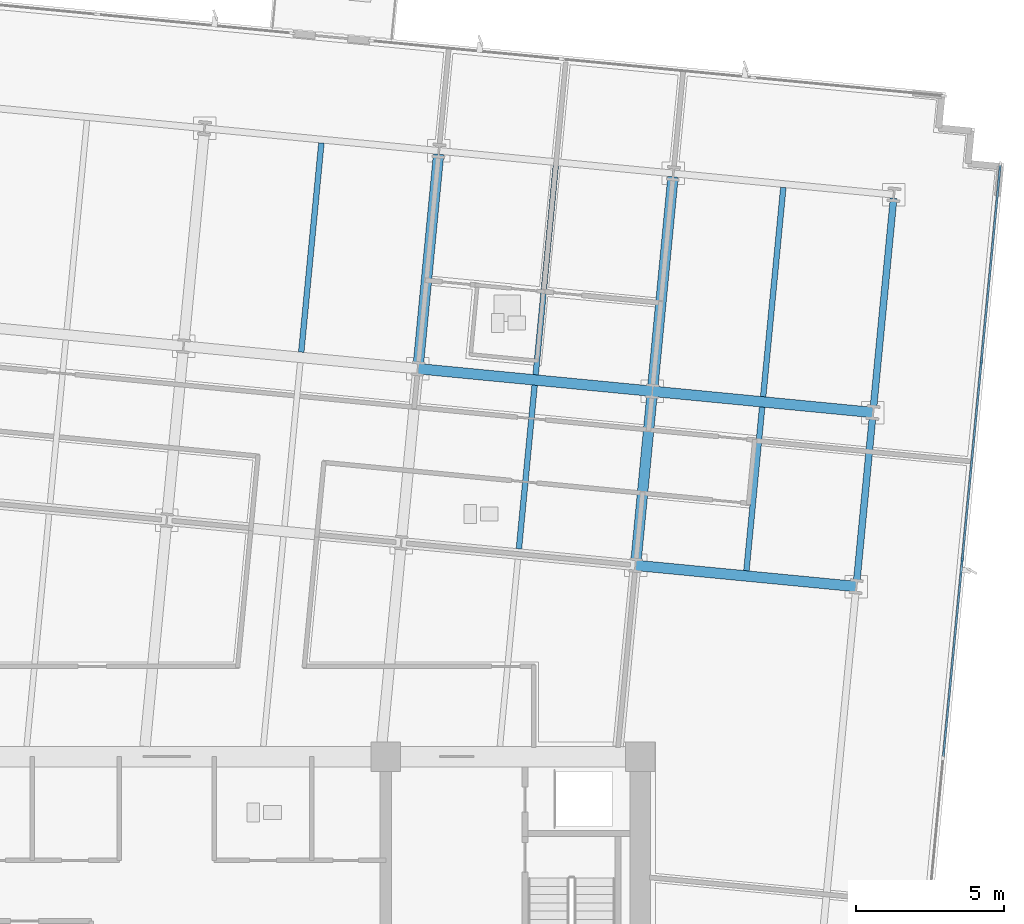
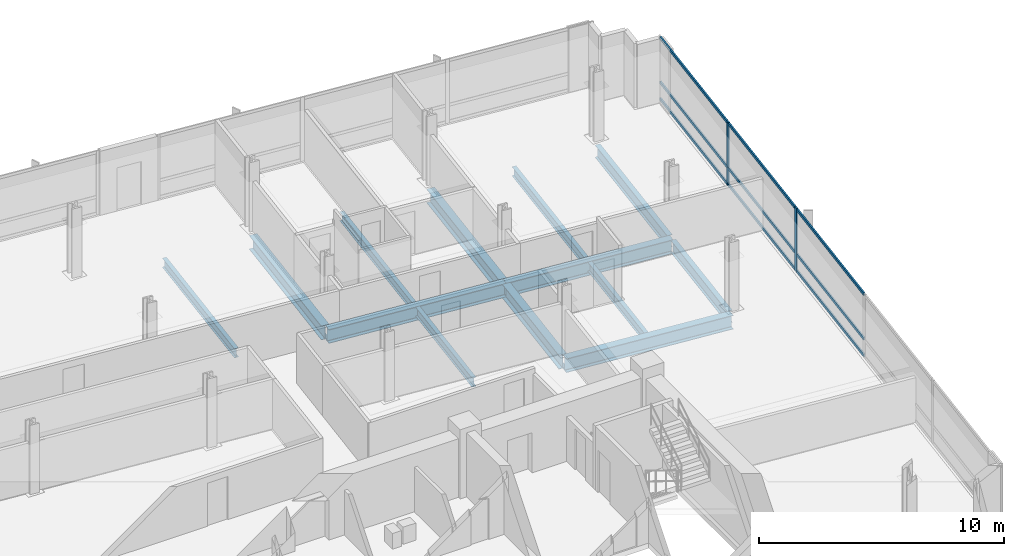
# One storey, part 6 of 17: 13 beams, 11 members, 1 element without a shape of its own.
"""IFC4 building model written with IfcOpenShell, lengths in metres."""

from ifc_helpers import new_model, si_unit, direction, frame, origin, origin_2d, place, context, subcontext, project, spatial, rectangle, i_section, extrude, material, material_profile, profile_set, type_object, element, aggregate, save


model = new_model("IFC4")

# Units and contexts
model_context = context("Model", 3, precision=1e-05, world=origin(), true_north=direction((0.0, 1.0)))
body_context = subcontext(model_context, "Body", "Model", "MODEL_VIEW")
ifc_project = project(units=[si_unit("LENGTHUNIT", "METRE"), si_unit("AREAUNIT", "SQUARE_METRE"), si_unit("VOLUMEUNIT", "CUBIC_METRE"), si_unit("PLANEANGLEUNIT", "RADIAN"), si_unit("MASSUNIT", "GRAM", prefix="KILO")], contexts=[model_context])

# Site, building, storey
site_placement = place(None, origin())
site = spatial("IfcSite", under=ifc_project, at=site_placement, CompositionType="ELEMENT")
building_placement = place(site_placement, origin())
building = spatial("IfcBuilding", under=site, at=building_placement, Name="Solmavex Isthmus Hotel", CompositionType="ELEMENT")
storey_placement = place(building_placement, frame((0.0, 0.0, 163.5)))
storey = spatial("IfcBuildingStorey", under=building, at=storey_placement, Name="L44", CompositionType="ELEMENT", Elevation=163.5)

# Beams
ifc_material_1 = material(Name="Steel ASTM A992 Grade 50", Category="steel")
ifc_material_profile_1 = material_profile(ifc_material_1, i_section(OverallWidth=0.354736328125, OverallDepth=0.695556640625, WebThickness=0.015380859375, FlangeThickness=0.02490234375, FilletRadius=0.017822265625, at=origin_2d()), Name="W27X146")
ifc_profile_set_1 = profile_set([ifc_material_profile_1], Name="Steel ASTM A992 Grade 50")
beam_type_1 = type_object("IfcBeamType", Name="BM-BG-W27X146", PredefinedType="BEAM", material=ifc_profile_set_1)
beam_1_placement = place(storey_placement, frame((15.840087890625, 3.96533203125, -0.607666015625), z_axis=(0.995394980007, -0.095858404835, 0.0), x_axis=(0.095858404835, 0.995394980007, 0.0)))
element("IfcBeam", 1, at=beam_1_placement, inside=storey, type_object=beam_type_1, Name="Floor Girder L44-UG08", PredefinedType="BEAM", context=body_context, shape_type="SweptSolid", body=[
    extrude(i_section(OverallWidth=0.354736328125, OverallDepth=0.695556640625, WebThickness=0.015380859375, FlangeThickness=0.02490234375, FilletRadius=0.017822265625, at=origin_2d()), origin(), (0.0, 0.0, 1.0), 7.48779296875),
])
beam_2_placement = place(storey_placement, frame((8.48681640625, 10.608642578125, -0.607666015625), z_axis=(0.995394512348, -0.095863260885, 0.0), x_axis=(0.095863260885, 0.995394512348, 0.0)))
element("IfcBeam", 2, at=beam_2_placement, inside=storey, type_object=beam_type_1, Name="Floor Girder L44-UG13", PredefinedType="BEAM", context=body_context, shape_type="SweptSolid", body=[
    extrude(i_section(OverallWidth=0.354736328125, OverallDepth=0.695556640625, WebThickness=0.015380859375, FlangeThickness=0.02490234375, FilletRadius=0.017822265625, at=origin_2d()), origin(), (0.0, 0.0, 1.0), 7.9560546875),
])
beam_3_placement = place(storey_placement, frame((16.40625, 9.845947265625, -0.607666015625), z_axis=(0.995398389938, -0.095822989454, 0.0), x_axis=(0.095822989454, 0.995398389938, 0.0)))
element("IfcBeam", 3, at=beam_3_placement, inside=storey, type_object=beam_type_1, Name="Floor Girder L44-UG14", PredefinedType="BEAM", context=body_context, shape_type="SweptSolid", body=[
    extrude(i_section(OverallWidth=0.354736328125, OverallDepth=0.695556640625, WebThickness=0.015380859375, FlangeThickness=0.02490234375, FilletRadius=0.017822265625, at=origin_2d()), origin(), (0.0, 0.0, 1.0), 7.488037109375),
])
beam_4_placement = place(storey_placement, frame((8.50390625, 10.78515625, -0.607666015625), z_axis=(0.095842805175, 0.99539648216, 0.0), x_axis=(-0.99539648216, 0.095842805175, 0.0)))
element("IfcBeam", 4, at=beam_4_placement, inside=storey, type_object=beam_type_1, Name="Floor Beam L44-VG35", PredefinedType="BEAM", context=body_context, shape_type="SweptSolid", body=[
    extrude(i_section(OverallWidth=0.354736328125, OverallDepth=0.695556640625, WebThickness=0.015380859375, FlangeThickness=0.02490234375, FilletRadius=0.017822265625, at=origin_2d()), origin(), (0.0, 0.0, 1.0), 7.099365234375),
])
beam_5_placement = place(storey_placement, frame((15.85693359375, 4.141845703125, -0.607666015625), z_axis=(0.095842252862, 0.99539653534, 0.0), x_axis=(-0.99539653534, 0.095842252862, 0.0)))
element("IfcBeam", 5, at=beam_5_placement, inside=storey, type_object=beam_type_1, Name="Floor Beam L44-VG37", PredefinedType="BEAM", context=body_context, shape_type="SweptSolid", body=[
    extrude(i_section(OverallWidth=0.354736328125, OverallDepth=0.695556640625, WebThickness=0.015380859375, FlangeThickness=0.02490234375, FilletRadius=0.017822265625, at=origin_2d()), origin(), (0.0, 0.0, 1.0), 5.55322265625),
])
beam_6_placement = place(storey_placement, frame((16.42333984375, 10.022705078125, -0.607666015625), z_axis=(0.095842805175, 0.99539648216, 0.0), x_axis=(-0.99539648216, 0.095842805175, 0.0)))
element("IfcBeam", 6, at=beam_6_placement, inside=storey, type_object=beam_type_1, Name="Floor Beam L44-VG38", PredefinedType="BEAM", context=body_context, shape_type="SweptSolid", body=[
    extrude(i_section(OverallWidth=0.354736328125, OverallDepth=0.695556640625, WebThickness=0.015380859375, FlangeThickness=0.02490234375, FilletRadius=0.017822265625, at=origin_2d()), origin(), (0.0, 0.0, 1.0), 7.099365234375),
])
ifc_material_profile_2 = material_profile(ifc_material_1, i_section(OverallWidth=0.1904296875, OverallDepth=0.456787109375, WebThickness=0.009033203125, FlangeThickness=0.014404296875, FilletRadius=0.0126953125, at=origin_2d()), Name="W18X50")
ifc_profile_set_2 = profile_set([ifc_material_profile_2], Name="Steel ASTM A992 Grade 50")
beam_type_2 = type_object("IfcBeamType", Name="BM-BJ-W18X50", PredefinedType="JOIST", material=ifc_profile_set_2)
beam_7_placement = place(storey_placement, frame((4.544189453125, 11.16650390625, -0.488525390625), z_axis=(0.095842805175, 0.99539648216, 0.0), x_axis=(-0.99539648216, 0.095842805175, 0.0)))
element("IfcBeam", 7, at=beam_7_placement, inside=storey, type_object=beam_type_2, Name="Secondary Floor Joist L44-J12", PredefinedType="JOIST", context=body_context, shape_type="SweptSolid", body=[
    extrude(i_section(OverallWidth=0.1904296875, OverallDepth=0.456787109375, WebThickness=0.009033203125, FlangeThickness=0.014404296875, FilletRadius=0.0126953125, at=origin_2d()), origin(), (0.0, 0.0, 1.0), 7.099365234375),
])
beam_8_placement = place(storey_placement, frame((11.8974609375, 4.523193359375, -0.488525390625), z_axis=(0.095842252862, 0.99539653534, 0.0), x_axis=(-0.99539653534, 0.095842252862, 0.0)))
element("IfcBeam", 8, at=beam_8_placement, inside=storey, type_object=beam_type_2, Name="Secondary Floor Joist L44-J14", PredefinedType="JOIST", context=body_context, shape_type="SweptSolid", body=[
    extrude(i_section(OverallWidth=0.1904296875, OverallDepth=0.456787109375, WebThickness=0.009033203125, FlangeThickness=0.014404296875, FilletRadius=0.0126953125, at=origin_2d()), origin(), (0.0, 0.0, 1.0), 5.55322265625),
])
beam_9_placement = place(storey_placement, frame((12.463623046875, 10.40380859375, -0.488525390625), z_axis=(0.095839524498, 0.995396798038, 0.0), x_axis=(-0.995396798038, 0.095839524498, 0.0)))
element("IfcBeam", 9, at=beam_9_placement, inside=storey, type_object=beam_type_2, Name="Secondary Floor Joist L44-J15", PredefinedType="JOIST", context=body_context, shape_type="SweptSolid", body=[
    extrude(i_section(OverallWidth=0.1904296875, OverallDepth=0.456787109375, WebThickness=0.009033203125, FlangeThickness=0.014404296875, FilletRadius=0.0126953125, at=origin_2d()), origin(), (0.0, 0.0, 1.0), 7.099609375),
])
beam_10_placement = place(storey_placement, frame((19.583740234375, 3.782958984375, -0.488525390625), z_axis=(0.095842252862, 0.99539653534, 0.0), x_axis=(-0.99539653534, 0.095842252862, 0.0)))
element("IfcBeam", 10, at=beam_10_placement, inside=storey, type_object=beam_type_2, Name="Secondary Floor Joist L44-J16", PredefinedType="JOIST", context=body_context, shape_type="SweptSolid", body=[
    extrude(i_section(OverallWidth=0.1904296875, OverallDepth=0.456787109375, WebThickness=0.009033203125, FlangeThickness=0.014404296875, FilletRadius=0.0126953125, at=origin_2d()), origin(), (0.0, 0.0, 1.0), 5.55322265625),
])
beam_11_placement = place(storey_placement, frame((20.150146484375, 9.663818359375, -0.488525390625), z_axis=(0.095842805175, 0.99539648216, 0.0), x_axis=(-0.99539648216, 0.095842805175, 0.0)))
element("IfcBeam", 11, at=beam_11_placement, inside=storey, type_object=beam_type_2, Name="Secondary Floor Joist L44-J17", PredefinedType="JOIST", context=body_context, shape_type="SweptSolid", body=[
    extrude(i_section(OverallWidth=0.1904296875, OverallDepth=0.456787109375, WebThickness=0.009033203125, FlangeThickness=0.014404296875, FilletRadius=0.0126953125, at=origin_2d()), origin(), (0.0, 0.0, 1.0), 7.099365234375),
])
ifc_material_profile_3 = material_profile(ifc_material_1, i_section(OverallWidth=0.230224609375, OverallDepth=0.617431640625, WebThickness=0.01318359375, FlangeThickness=0.022216796875, FilletRadius=0.01513671875, at=origin_2d()), Name="W24X94")
ifc_profile_set_3 = profile_set([ifc_material_profile_3], Name="Steel ASTM A992 Grade 50")
beam_type_3 = type_object("IfcBeamType", Name="BM-SP-W24X94", PredefinedType="SPANDREL", material=ifc_profile_set_3)
beam_12_placement = place(storey_placement, frame((23.310546875, 3.424072265625, -0.56884765625), z_axis=(0.095842252862, 0.99539653534, 0.0), x_axis=(-0.99539653534, 0.095842252862, 0.0)))
element("IfcBeam", 12, at=beam_12_placement, inside=storey, type_object=beam_type_3, Name="Floor Beam L44-VG40", PredefinedType="SPANDREL", context=body_context, shape_type="SweptSolid", body=[
    extrude(i_section(OverallWidth=0.230224609375, OverallDepth=0.617431640625, WebThickness=0.01318359375, FlangeThickness=0.022216796875, FilletRadius=0.01513671875, at=origin_2d()), origin(), (0.0, 0.0, 1.0), 5.55322265625),
])
beam_13_placement = place(storey_placement, frame((23.876708984375, 9.304931640625, -0.56884765625), z_axis=(0.09587687835, 0.9953932008, 0.0), x_axis=(-0.9953932008, 0.09587687835, 0.0)))
element("IfcBeam", 13, at=beam_13_placement, inside=storey, type_object=beam_type_3, Name="Floor Beam L44-VG41", PredefinedType="SPANDREL", context=body_context, shape_type="SweptSolid", body=[
    extrude(i_section(OverallWidth=0.230224609375, OverallDepth=0.617431640625, WebThickness=0.01318359375, FlangeThickness=0.022216796875, FilletRadius=0.01513671875, at=origin_2d()), origin(), (0.0, 0.0, 1.0), 7.099365234375),
])

# Curtain wall, members
ifc_material_2 = material(Name="Aluminium alloy 6063-T6", Category="aluminium")
curtain_wall_type = type_object("IfcCurtainWallType", Name="CW-SYS-03", PredefinedType="NOTDEFINED", material=ifc_material_2)
curtain_wall_placement = place(storey_placement, origin())
curtain_wall = element("IfcCurtainWall", 14, at=curtain_wall_placement, inside=storey, type_object=curtain_wall_type, Name="Stick Curtain Wall CWL-L44-E1", PredefinedType="NOTDEFINED")
ifc_material_profile_4 = material_profile(ifc_material_2, rectangle(XDim=0.070068359375, YDim=0.179931640625, at=origin_2d()), Name="CWM-70X180")
ifc_profile_set_4 = profile_set([ifc_material_profile_4], Name="Aluminium alloy 6063-T6")
member_type_1 = type_object("IfcMemberType", Name="CW-SYS-03-MUL", PredefinedType="MULLION", material=ifc_profile_set_4)
member_1_placement = place(storey_placement, frame((26.878173828125, 4.168212890625, 0.0), z_axis=(0.0, 0.0, 1.0), x_axis=(-0.995396190038, 0.09584583902, 0.0)))
member_1 = element("IfcMember", 15, at=member_1_placement, type_object=member_type_1, Name="CW-03 mullion 4", PredefinedType="MULLION", context=body_context, shape_type="SweptSolid", body=[
    extrude(rectangle(XDim=0.070068359375, YDim=0.179931640625, at=origin_2d()), origin(), (0.0, 0.0, 1.0), 3.18994140625),
])
member_2_placement = place(storey_placement, frame((27.5224609375, 10.857177734375, 0.0), z_axis=(0.0, 0.0, 1.0), x_axis=(-0.995396190038, 0.09584583902, 0.0)))
member_2 = element("IfcMember", 16, at=member_2_placement, type_object=member_type_1, Name="CW-03 mullion 5", PredefinedType="MULLION", context=body_context, shape_type="SweptSolid", body=[
    extrude(rectangle(XDim=0.070068359375, YDim=0.179931640625, at=origin_2d()), origin(), (0.0, 0.0, 1.0), 3.18994140625),
])
ifc_material_profile_5 = material_profile(ifc_material_2, rectangle(XDim=0.070068359375, YDim=0.139892578125, at=origin_2d()), Name="CWT-70X140")
ifc_profile_set_5 = profile_set([ifc_material_profile_5], Name="Aluminium alloy 6063-T6")
member_type_2 = type_object("IfcMemberType", Name="CW-SYS-03-TRN", PredefinedType="USERDEFINED", material=ifc_profile_set_5)
member_3_placement = place(storey_placement, frame((26.237548828125, -2.486083984375, 0.070068359375), z_axis=(0.095857212138, 0.995395094865, 0.0), x_axis=(-0.995395094865, 0.095857212138, 0.0)))
member_3 = element("IfcMember", 17, at=member_3_placement, type_object=member_type_2, Name="CW-03 transom 3.1", ObjectType="TRANSOM", PredefinedType="USERDEFINED", context=body_context, shape_type="SweptSolid", body=[
    extrude(rectangle(XDim=0.070068359375, YDim=0.139892578125, at=origin_2d()), origin(), (0.0, 0.0, 1.0), 6.64990234375),
])
member_4_placement = place(storey_placement, frame((26.237548828125, -2.486083984375, 0.89990234375), z_axis=(0.095857212138, 0.995395094865, 0.0), x_axis=(-0.995395094865, 0.095857212138, 0.0)))
member_4 = element("IfcMember", 18, at=member_4_placement, type_object=member_type_2, Name="CW-03 transom 3.2", ObjectType="TRANSOM", PredefinedType="USERDEFINED", context=body_context, shape_type="SweptSolid", body=[
    extrude(rectangle(XDim=0.070068359375, YDim=0.139892578125, at=origin_2d()), origin(), (0.0, 0.0, 1.0), 6.64990234375),
])
member_5_placement = place(storey_placement, frame((26.237548828125, -2.486083984375, 3.1201171875), z_axis=(0.095857212138, 0.995395094865, 0.0), x_axis=(-0.995395094865, 0.095857212138, 0.0)))
member_5 = element("IfcMember", 19, at=member_5_placement, type_object=member_type_2, Name="CW-03 transom 3.3", ObjectType="TRANSOM", PredefinedType="USERDEFINED", context=body_context, shape_type="SweptSolid", body=[
    extrude(rectangle(XDim=0.070068359375, YDim=0.139892578125, at=origin_2d()), origin(), (0.0, 0.0, 1.0), 6.64990234375),
])
member_6_placement = place(storey_placement, frame((26.881591796875, 4.203125, 0.070068359375), z_axis=(0.095857212138, 0.995395094865, 0.0), x_axis=(-0.995395094865, 0.095857212138, 0.0)))
member_6 = element("IfcMember", 20, at=member_6_placement, type_object=member_type_2, Name="CW-03 transom 4.1", ObjectType="TRANSOM", PredefinedType="USERDEFINED", context=body_context, shape_type="SweptSolid", body=[
    extrude(rectangle(XDim=0.070068359375, YDim=0.139892578125, at=origin_2d()), origin(), (0.0, 0.0, 1.0), 6.64990234375),
])
member_7_placement = place(storey_placement, frame((26.881591796875, 4.203125, 0.89990234375), z_axis=(0.095857212138, 0.995395094865, 0.0), x_axis=(-0.995395094865, 0.095857212138, 0.0)))
member_7 = element("IfcMember", 21, at=member_7_placement, type_object=member_type_2, Name="CW-03 transom 4.2", ObjectType="TRANSOM", PredefinedType="USERDEFINED", context=body_context, shape_type="SweptSolid", body=[
    extrude(rectangle(XDim=0.070068359375, YDim=0.139892578125, at=origin_2d()), origin(), (0.0, 0.0, 1.0), 6.64990234375),
])
member_8_placement = place(storey_placement, frame((26.881591796875, 4.203125, 3.1201171875), z_axis=(0.095857212138, 0.995395094865, 0.0), x_axis=(-0.995395094865, 0.095857212138, 0.0)))
member_8 = element("IfcMember", 22, at=member_8_placement, type_object=member_type_2, Name="CW-03 transom 4.3", ObjectType="TRANSOM", PredefinedType="USERDEFINED", context=body_context, shape_type="SweptSolid", body=[
    extrude(rectangle(XDim=0.070068359375, YDim=0.139892578125, at=origin_2d()), origin(), (0.0, 0.0, 1.0), 6.64990234375),
])
member_9_placement = place(storey_placement, frame((27.525634765625, 10.89208984375, 0.070068359375), z_axis=(0.095848837806, 0.995395901283, 0.0), x_axis=(-0.995395901283, 0.095848837806, 0.0)))
member_9 = element("IfcMember", 23, at=member_9_placement, type_object=member_type_2, Name="CW-03 transom 5.1", ObjectType="TRANSOM", PredefinedType="USERDEFINED", context=body_context, shape_type="SweptSolid", body=[
    extrude(rectangle(XDim=0.070068359375, YDim=0.139892578125, at=origin_2d()), origin(), (0.0, 0.0, 1.0), 6.614990234375),
])
member_10_placement = place(storey_placement, frame((27.525634765625, 10.89208984375, 0.89990234375), z_axis=(0.095848837806, 0.995395901283, 0.0), x_axis=(-0.995395901283, 0.095848837806, 0.0)))
member_10 = element("IfcMember", 24, at=member_10_placement, type_object=member_type_2, Name="CW-03 transom 5.2", ObjectType="TRANSOM", PredefinedType="USERDEFINED", context=body_context, shape_type="SweptSolid", body=[
    extrude(rectangle(XDim=0.070068359375, YDim=0.139892578125, at=origin_2d()), origin(), (0.0, 0.0, 1.0), 6.614990234375),
])
member_11_placement = place(storey_placement, frame((27.525634765625, 10.89208984375, 3.1201171875), z_axis=(0.095848837806, 0.995395901283, 0.0), x_axis=(-0.995395901283, 0.095848837806, 0.0)))
member_11 = element("IfcMember", 25, at=member_11_placement, type_object=member_type_2, Name="CW-03 transom 5.3", ObjectType="TRANSOM", PredefinedType="USERDEFINED", context=body_context, shape_type="SweptSolid", body=[
    extrude(rectangle(XDim=0.070068359375, YDim=0.139892578125, at=origin_2d()), origin(), (0.0, 0.0, 1.0), 6.614990234375),
])
aggregate(curtain_wall, [member_1, member_2, member_3, member_4, member_5, member_6, member_7, member_8, member_9, member_10, member_11])

save(model, "model.ifc")
